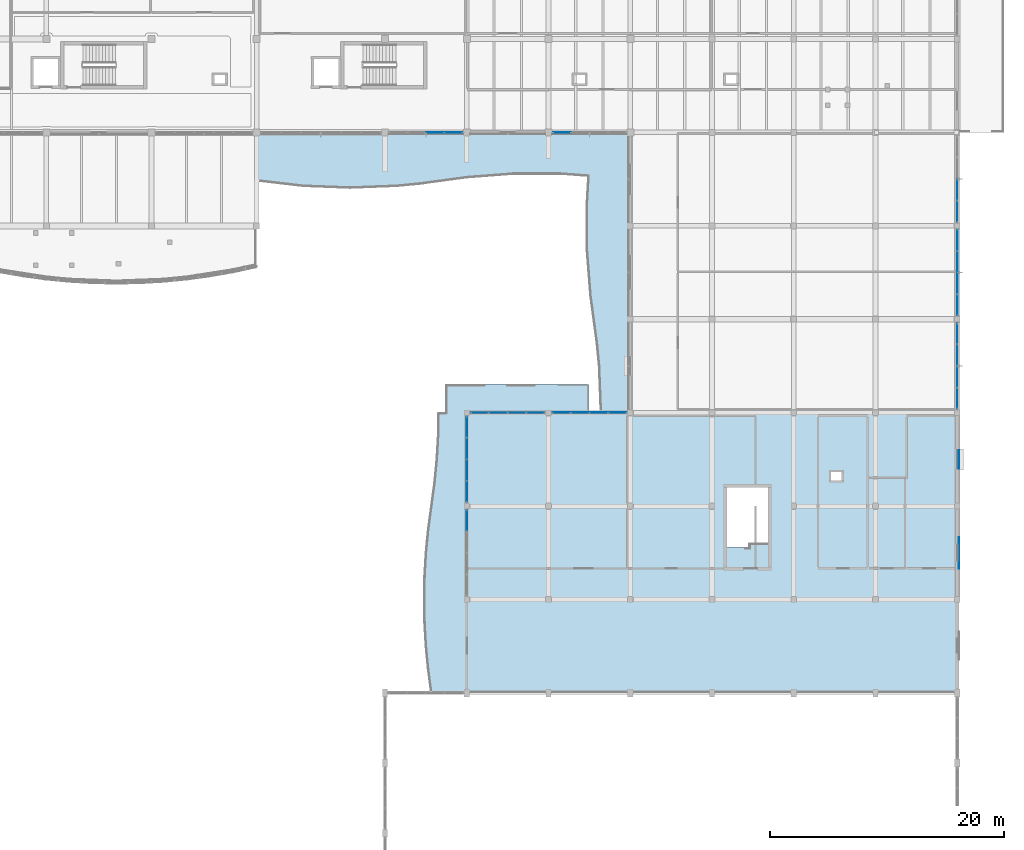
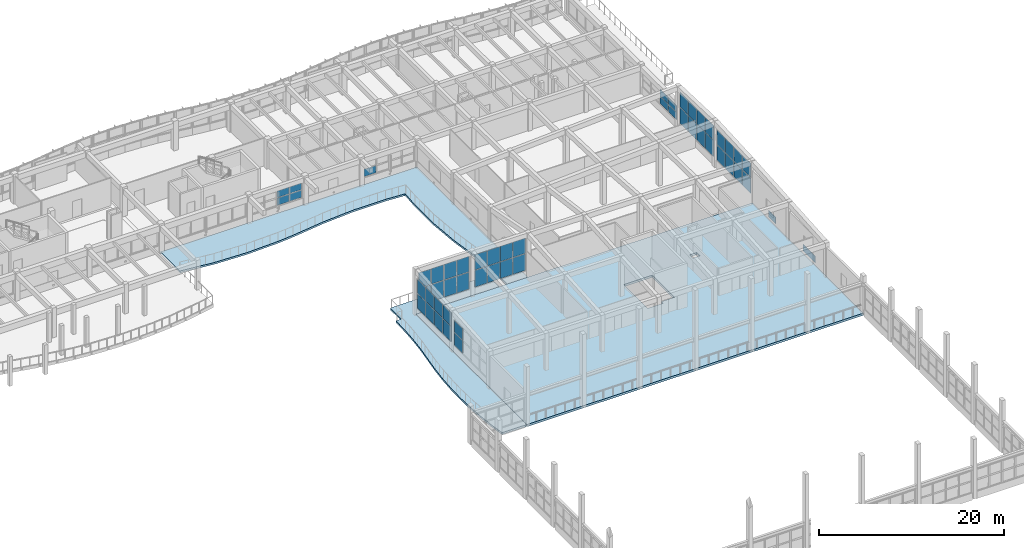
# One storey, part 53 of 89: 53 plates, 3 slabs, 9 elements without a shape of their own.
"""IFC4 building model written with IfcOpenShell, lengths in metres."""

from ifc_helpers import new_model, si_unit, direction, frame, origin, origin_2d, place, context, subcontext, project, spatial, polyline, rectangle, outline, extrude, material, layer, layer_set, type_object, element, aggregate, save


model = new_model("IFC4")

# Units and contexts
model_context = context("Model", 3, precision=1e-05, world=origin(), true_north=direction((0.0, 1.0)))
body_context = subcontext(model_context, "Body", "Model", "MODEL_VIEW")
ifc_project = project(units=[si_unit("LENGTHUNIT", "METRE"), si_unit("AREAUNIT", "SQUARE_METRE"), si_unit("VOLUMEUNIT", "CUBIC_METRE"), si_unit("PLANEANGLEUNIT", "RADIAN"), si_unit("MASSUNIT", "GRAM", prefix="KILO")], contexts=[model_context])

# Site, building, storey
site_placement = place(None, origin())
site = spatial("IfcSite", under=ifc_project, at=site_placement, CompositionType="ELEMENT")
building_placement = place(site_placement, origin())
building = spatial("IfcBuilding", under=site, at=building_placement, Name="Tonlespit Floodbar School", CompositionType="ELEMENT")
storey_placement = place(building_placement, frame((0.0, 0.0, 4.5)))
storey = spatial("IfcBuildingStorey", under=building, at=storey_placement, Name="L01", CompositionType="ELEMENT", Elevation=4.5)

# Curtain wall, plates
ifc_material_1 = material(Name="Anodised Aluminium", Category="aluminium")
ifc_layer_1 = layer(ifc_material_1, 0.159912109375)
ifc_layer_set_1 = layer_set([ifc_layer_1], Name="Anodised Aluminium")
curtain_wall_type_1 = type_object("IfcCurtainWallType", Name="CurtainWall_6400x4450", PredefinedType="NOTDEFINED", material=ifc_layer_set_1)
curtain_wall_1_placement = place(storey_placement, origin())
curtain_wall_1 = element("IfcCurtainWall", 1, at=curtain_wall_1_placement, inside=storey, type_object=curtain_wall_type_1, Name="L01 unitised curtain wall 0337", PredefinedType="NOTDEFINED")
ifc_material_2 = material(Name="Laminated Low-E Glass", Category="glass")
ifc_layer_2 = layer(ifc_material_2, 0.028076171875)
ifc_layer_set_2 = layer_set([ifc_layer_2], Name="Laminated Low-E Glass")
plate_type_1 = type_object("IfcPlateType", Name="CW_Panel_Glaz_28", PredefinedType="CURTAIN_PANEL", material=ifc_layer_set_2)
plate_1_placement = place(storey_placement, frame((135.108642578125, 80.0, 1.014892578125), z_axis=(0.0, 0.0, 1.0), x_axis=(1.0, 0.0, 0.0)))
plate_1 = element("IfcPlate", 2, at=plate_1_placement, type_object=plate_type_1, Name="CW-56 panel 1.1", PredefinedType="CURTAIN_PANEL", context=body_context, shape_type="SweptSolid", body=[
    extrude(rectangle(XDim=1.507568359375, YDim=0.028076171875, at=origin_2d()), origin(), (0.0, 0.0, 1.0), 2.22314453125),
])
plate_2_placement = place(storey_placement, frame((135.108642578125, 80.0, 3.30322265625), z_axis=(0.0, 0.0, 1.0), x_axis=(1.0, 0.0, 0.0)))
plate_2 = element("IfcPlate", 3, at=plate_2_placement, type_object=plate_type_1, Name="CW-56 panel 1.2", PredefinedType="CURTAIN_PANEL", context=body_context, shape_type="SweptSolid", body=[
    extrude(rectangle(XDim=1.507568359375, YDim=0.028076171875, at=origin_2d()), origin(), (0.0, 0.0, 1.0), 2.04443359375),
])
plate_3_placement = place(storey_placement, frame((136.697509765625, 80.0, 1.014892578125), z_axis=(0.0, 0.0, 1.0), x_axis=(1.0, 0.0, 0.0)))
plate_3 = element("IfcPlate", 4, at=plate_3_placement, type_object=plate_type_1, Name="CW-56 panel 2.1", PredefinedType="CURTAIN_PANEL", context=body_context, shape_type="SweptSolid", body=[
    extrude(rectangle(XDim=1.5400390625, YDim=0.028076171875, at=origin_2d()), origin(), (0.0, 0.0, 1.0), 2.22314453125),
])
plate_4_placement = place(storey_placement, frame((136.697509765625, 80.0, 3.30322265625), z_axis=(0.0, 0.0, 1.0), x_axis=(1.0, 0.0, 0.0)))
plate_4 = element("IfcPlate", 5, at=plate_4_placement, type_object=plate_type_1, Name="CW-56 panel 2.2", PredefinedType="CURTAIN_PANEL", context=body_context, shape_type="SweptSolid", body=[
    extrude(rectangle(XDim=1.5400390625, YDim=0.028076171875, at=origin_2d()), origin(), (0.0, 0.0, 1.0), 2.04443359375),
])
plate_5_placement = place(storey_placement, frame((138.302490234375, 80.0, 1.014892578125), z_axis=(0.0, 0.0, 1.0), x_axis=(1.0, 0.0, 0.0)))
plate_5 = element("IfcPlate", 6, at=plate_5_placement, type_object=plate_type_1, Name="CW-56 panel 3.1", PredefinedType="CURTAIN_PANEL", context=body_context, shape_type="SweptSolid", body=[
    extrude(rectangle(XDim=1.5400390625, YDim=0.028076171875, at=origin_2d()), origin(), (0.0, 0.0, 1.0), 2.22314453125),
])
plate_6_placement = place(storey_placement, frame((138.302490234375, 80.0, 3.30322265625), z_axis=(0.0, 0.0, 1.0), x_axis=(1.0, 0.0, 0.0)))
plate_6 = element("IfcPlate", 7, at=plate_6_placement, type_object=plate_type_1, Name="CW-56 panel 3.2", PredefinedType="CURTAIN_PANEL", context=body_context, shape_type="SweptSolid", body=[
    extrude(rectangle(XDim=1.5400390625, YDim=0.028076171875, at=origin_2d()), origin(), (0.0, 0.0, 1.0), 2.04443359375),
])
plate_7_placement = place(storey_placement, frame((139.891357421875, 80.0, 1.014892578125), z_axis=(0.0, 0.0, 1.0), x_axis=(1.0, 0.0, 0.0)))
plate_7 = element("IfcPlate", 8, at=plate_7_placement, type_object=plate_type_1, Name="CW-56 panel 4.1", PredefinedType="CURTAIN_PANEL", context=body_context, shape_type="SweptSolid", body=[
    extrude(rectangle(XDim=1.507568359375, YDim=0.028076171875, at=origin_2d()), origin(), (0.0, 0.0, 1.0), 2.22314453125),
])
plate_8_placement = place(storey_placement, frame((139.891357421875, 80.0, 3.30322265625), z_axis=(0.0, 0.0, 1.0), x_axis=(1.0, 0.0, 0.0)))
plate_8 = element("IfcPlate", 9, at=plate_8_placement, type_object=plate_type_1, Name="CW-56 panel 4.2", PredefinedType="CURTAIN_PANEL", context=body_context, shape_type="SweptSolid", body=[
    extrude(rectangle(XDim=1.507568359375, YDim=0.028076171875, at=origin_2d()), origin(), (0.0, 0.0, 1.0), 2.04443359375),
])
aggregate(curtain_wall_1, [plate_1, plate_2, plate_3, plate_4, plate_5, plate_6, plate_7, plate_8])

ifc_layer_3 = layer(ifc_material_1, 0.159912109375)
ifc_layer_set_3 = layer_set([ifc_layer_3], Name="Anodised Aluminium")
curtain_wall_type_2 = type_object("IfcCurtainWallType", Name="CurtainWall_6300x2050", PredefinedType="NOTDEFINED", material=ifc_layer_set_3)
curtain_wall_2_placement = place(storey_placement, origin())
curtain_wall_2 = element("IfcCurtainWall", 10, at=curtain_wall_2_placement, inside=storey, type_object=curtain_wall_type_2, Name="L01 unitised curtain wall 0409", PredefinedType="NOTDEFINED")
plate_9_placement = place(storey_placement, frame((132.853759765625, 104.0, 1.01513671875), z_axis=(0.0, 0.0, 1.0), x_axis=(-1.0, 0.0, 0.0)))
plate_9 = element("IfcPlate", 11, at=plate_9_placement, type_object=plate_type_1, Name="CW-61 panel 1.1", PredefinedType="CURTAIN_PANEL", context=body_context, shape_type="SweptSolid", body=[
    extrude(rectangle(XDim=1.482421875, YDim=0.028076171875, at=origin_2d()), origin(), (0.0, 0.0, 1.0), 0.9658203125),
])
plate_10_placement = place(storey_placement, frame((132.853759765625, 104.0, 2.0458984375), z_axis=(0.0, 0.0, 1.0), x_axis=(-1.0, 0.0, 0.0)))
plate_10 = element("IfcPlate", 12, at=plate_10_placement, type_object=plate_type_1, Name="CW-61 panel 1.2", PredefinedType="CURTAIN_PANEL", context=body_context, shape_type="SweptSolid", body=[
    extrude(rectangle(XDim=1.482421875, YDim=0.028076171875, at=origin_2d()), origin(), (0.0, 0.0, 1.0), 0.884033203125),
])
plate_11_placement = place(storey_placement, frame((131.2900390625, 104.0, 1.01513671875), z_axis=(0.0, 0.0, 1.0), x_axis=(-1.0, 0.0, 0.0)))
plate_11 = element("IfcPlate", 13, at=plate_11_placement, type_object=plate_type_1, Name="CW-61 panel 2.1", PredefinedType="CURTAIN_PANEL", context=body_context, shape_type="SweptSolid", body=[
    extrude(rectangle(XDim=1.514892578125, YDim=0.028076171875, at=origin_2d()), origin(), (0.0, 0.0, 1.0), 0.9658203125),
])
plate_12_placement = place(storey_placement, frame((131.2900390625, 104.0, 2.0458984375), z_axis=(0.0, 0.0, 1.0), x_axis=(-1.0, 0.0, 0.0)))
plate_12 = element("IfcPlate", 14, at=plate_12_placement, type_object=plate_type_1, Name="CW-61 panel 2.2", PredefinedType="CURTAIN_PANEL", context=body_context, shape_type="SweptSolid", body=[
    extrude(rectangle(XDim=1.514892578125, YDim=0.028076171875, at=origin_2d()), origin(), (0.0, 0.0, 1.0), 0.884033203125),
])
aggregate(curtain_wall_2, [plate_9, plate_10, plate_11, plate_12])

ifc_layer_4 = layer(ifc_material_1, 0.159912109375)
ifc_layer_set_4 = layer_set([ifc_layer_4], Name="Anodised Aluminium")
curtain_wall_type_3 = type_object("IfcCurtainWallType", Name="CurtainWall_7400x4100", PredefinedType="NOTDEFINED", material=ifc_layer_set_4)
curtain_wall_3_placement = place(storey_placement, origin())
curtain_wall_3 = element("IfcCurtainWall", 15, at=curtain_wall_3_placement, inside=storey, type_object=curtain_wall_type_3, Name="L01 unitised curtain wall 0413", PredefinedType="NOTDEFINED")
plate_13_placement = place(storey_placement, frame((176.0, 86.766357421875, 1.01513671875), z_axis=(0.0, 0.0, 1.0), x_axis=(0.0, -1.0, 0.0)))
plate_13 = element("IfcPlate", 16, at=plate_13_placement, type_object=plate_type_1, Name="CW-64 panel 1.1", PredefinedType="CURTAIN_PANEL", context=body_context, shape_type="SweptSolid", body=[
    extrude(rectangle(XDim=1.757568359375, YDim=0.028076171875, at=origin_2d()), origin(), (0.0, 0.0, 1.0), 2.033935546875),
])
plate_14_placement = place(storey_placement, frame((176.0, 86.766357421875, 3.114013671875), z_axis=(0.0, 0.0, 1.0), x_axis=(0.0, -1.0, 0.0)))
plate_14 = element("IfcPlate", 17, at=plate_14_placement, type_object=plate_type_1, Name="CW-64 panel 1.2", PredefinedType="CURTAIN_PANEL", context=body_context, shape_type="SweptSolid", body=[
    extrude(rectangle(XDim=1.757568359375, YDim=0.028076171875, at=origin_2d()), origin(), (0.0, 0.0, 1.0), 1.8701171875),
])
plate_15_placement = place(storey_placement, frame((176.0, 84.927490234375, 1.01513671875), z_axis=(0.0, 0.0, 1.0), x_axis=(0.0, -1.0, 0.0)))
plate_15 = element("IfcPlate", 18, at=plate_15_placement, type_object=plate_type_1, Name="CW-64 panel 2.1", PredefinedType="CURTAIN_PANEL", context=body_context, shape_type="SweptSolid", body=[
    extrude(rectangle(XDim=1.7900390625, YDim=0.028076171875, at=origin_2d()), origin(), (0.0, 0.0, 1.0), 2.033935546875),
])
plate_16_placement = place(storey_placement, frame((176.0, 84.927490234375, 3.114013671875), z_axis=(0.0, 0.0, 1.0), x_axis=(0.0, -1.0, 0.0)))
plate_16 = element("IfcPlate", 19, at=plate_16_placement, type_object=plate_type_1, Name="CW-64 panel 2.2", PredefinedType="CURTAIN_PANEL", context=body_context, shape_type="SweptSolid", body=[
    extrude(rectangle(XDim=1.7900390625, YDim=0.028076171875, at=origin_2d()), origin(), (0.0, 0.0, 1.0), 1.8701171875),
])
plate_17_placement = place(storey_placement, frame((176.0, 83.072509765625, 1.01513671875), z_axis=(0.0, 0.0, 1.0), x_axis=(0.0, -1.0, 0.0)))
plate_17 = element("IfcPlate", 20, at=plate_17_placement, type_object=plate_type_1, Name="CW-64 panel 3.1", PredefinedType="CURTAIN_PANEL", context=body_context, shape_type="SweptSolid", body=[
    extrude(rectangle(XDim=1.7900390625, YDim=0.028076171875, at=origin_2d()), origin(), (0.0, 0.0, 1.0), 2.033935546875),
])
plate_18_placement = place(storey_placement, frame((176.0, 83.072509765625, 3.114013671875), z_axis=(0.0, 0.0, 1.0), x_axis=(0.0, -1.0, 0.0)))
plate_18 = element("IfcPlate", 21, at=plate_18_placement, type_object=plate_type_1, Name="CW-64 panel 3.2", PredefinedType="CURTAIN_PANEL", context=body_context, shape_type="SweptSolid", body=[
    extrude(rectangle(XDim=1.7900390625, YDim=0.028076171875, at=origin_2d()), origin(), (0.0, 0.0, 1.0), 1.8701171875),
])
plate_19_placement = place(storey_placement, frame((176.0, 81.233642578125, 1.01513671875), z_axis=(0.0, 0.0, 1.0), x_axis=(0.0, -1.0, 0.0)))
plate_19 = element("IfcPlate", 22, at=plate_19_placement, type_object=plate_type_1, Name="CW-64 panel 4.1", PredefinedType="CURTAIN_PANEL", context=body_context, shape_type="SweptSolid", body=[
    extrude(rectangle(XDim=1.757568359375, YDim=0.028076171875, at=origin_2d()), origin(), (0.0, 0.0, 1.0), 2.033935546875),
])
plate_20_placement = place(storey_placement, frame((176.0, 81.233642578125, 3.114013671875), z_axis=(0.0, 0.0, 1.0), x_axis=(0.0, -1.0, 0.0)))
plate_20 = element("IfcPlate", 23, at=plate_20_placement, type_object=plate_type_1, Name="CW-64 panel 4.2", PredefinedType="CURTAIN_PANEL", context=body_context, shape_type="SweptSolid", body=[
    extrude(rectangle(XDim=1.757568359375, YDim=0.028076171875, at=origin_2d()), origin(), (0.0, 0.0, 1.0), 1.8701171875),
])
aggregate(curtain_wall_3, [plate_13, plate_14, plate_15, plate_16, plate_17, plate_18, plate_19, plate_20])

ifc_layer_5 = layer(ifc_material_1, 0.159912109375)
ifc_layer_set_5 = layer_set([ifc_layer_5], Name="Anodised Aluminium")
curtain_wall_type_4 = type_object("IfcCurtainWallType", Name="CurtainWall_6400x4400", PredefinedType="NOTDEFINED", material=ifc_layer_set_5)
curtain_wall_4_placement = place(storey_placement, origin())
curtain_wall_4 = element("IfcCurtainWall", 24, at=curtain_wall_4_placement, inside=storey, type_object=curtain_wall_type_4, Name="L01 unitised curtain wall 0338", PredefinedType="NOTDEFINED")
ifc_layer_6 = layer(ifc_material_2, 0.031982421875)
ifc_layer_set_6 = layer_set([ifc_layer_6], Name="Laminated Low-E Glass")
plate_type_2 = type_object("IfcPlateType", Name="CW_Panel_Glaz_32", PredefinedType="CURTAIN_PANEL", material=ifc_layer_set_6)
plate_21_placement = place(storey_placement, frame((142.108642578125, 80.0, 1.01513671875), z_axis=(0.0, 0.0, 1.0), x_axis=(1.0, 0.0, 0.0)))
plate_21 = element("IfcPlate", 25, at=plate_21_placement, type_object=plate_type_2, Name="CW-57 panel 1.1", PredefinedType="CURTAIN_PANEL", context=body_context, shape_type="SweptSolid", body=[
    extrude(rectangle(XDim=1.507568359375, YDim=0.031982421875, at=origin_2d()), origin(), (0.0, 0.0, 1.0), 2.188720703125),
])
plate_22_placement = place(storey_placement, frame((142.108642578125, 80.0, 3.2685546875), z_axis=(0.0, 0.0, 1.0), x_axis=(1.0, 0.0, 0.0)))
plate_22 = element("IfcPlate", 26, at=plate_22_placement, type_object=plate_type_2, Name="CW-57 panel 1.2", PredefinedType="CURTAIN_PANEL", context=body_context, shape_type="SweptSolid", body=[
    extrude(rectangle(XDim=1.507568359375, YDim=0.031982421875, at=origin_2d()), origin(), (0.0, 0.0, 1.0), 2.012939453125),
])
plate_23_placement = place(storey_placement, frame((143.697509765625, 80.0, 1.01513671875), z_axis=(0.0, 0.0, 1.0), x_axis=(1.0, 0.0, 0.0)))
plate_23 = element("IfcPlate", 27, at=plate_23_placement, type_object=plate_type_2, Name="CW-57 panel 2.1", PredefinedType="CURTAIN_PANEL", context=body_context, shape_type="SweptSolid", body=[
    extrude(rectangle(XDim=1.5400390625, YDim=0.031982421875, at=origin_2d()), origin(), (0.0, 0.0, 1.0), 2.188720703125),
])
plate_24_placement = place(storey_placement, frame((143.697509765625, 80.0, 3.2685546875), z_axis=(0.0, 0.0, 1.0), x_axis=(1.0, 0.0, 0.0)))
plate_24 = element("IfcPlate", 28, at=plate_24_placement, type_object=plate_type_2, Name="CW-57 panel 2.2", PredefinedType="CURTAIN_PANEL", context=body_context, shape_type="SweptSolid", body=[
    extrude(rectangle(XDim=1.5400390625, YDim=0.031982421875, at=origin_2d()), origin(), (0.0, 0.0, 1.0), 2.012939453125),
])
plate_25_placement = place(storey_placement, frame((145.302490234375, 80.0, 1.01513671875), z_axis=(0.0, 0.0, 1.0), x_axis=(1.0, 0.0, 0.0)))
plate_25 = element("IfcPlate", 29, at=plate_25_placement, type_object=plate_type_2, Name="CW-57 panel 3.1", PredefinedType="CURTAIN_PANEL", context=body_context, shape_type="SweptSolid", body=[
    extrude(rectangle(XDim=1.5400390625, YDim=0.031982421875, at=origin_2d()), origin(), (0.0, 0.0, 1.0), 2.188720703125),
])
plate_26_placement = place(storey_placement, frame((145.302490234375, 80.0, 3.2685546875), z_axis=(0.0, 0.0, 1.0), x_axis=(1.0, 0.0, 0.0)))
plate_26 = element("IfcPlate", 30, at=plate_26_placement, type_object=plate_type_2, Name="CW-57 panel 3.2", PredefinedType="CURTAIN_PANEL", context=body_context, shape_type="SweptSolid", body=[
    extrude(rectangle(XDim=1.5400390625, YDim=0.031982421875, at=origin_2d()), origin(), (0.0, 0.0, 1.0), 2.012939453125),
])
plate_27_placement = place(storey_placement, frame((146.891357421875, 80.0, 1.01513671875), z_axis=(0.0, 0.0, 1.0), x_axis=(1.0, 0.0, 0.0)))
plate_27 = element("IfcPlate", 31, at=plate_27_placement, type_object=plate_type_2, Name="CW-57 panel 4.1", PredefinedType="CURTAIN_PANEL", context=body_context, shape_type="SweptSolid", body=[
    extrude(rectangle(XDim=1.507568359375, YDim=0.031982421875, at=origin_2d()), origin(), (0.0, 0.0, 1.0), 2.188720703125),
])
plate_28_placement = place(storey_placement, frame((146.891357421875, 80.0, 3.2685546875), z_axis=(0.0, 0.0, 1.0), x_axis=(1.0, 0.0, 0.0)))
plate_28 = element("IfcPlate", 32, at=plate_28_placement, type_object=plate_type_2, Name="CW-57 panel 4.2", PredefinedType="CURTAIN_PANEL", context=body_context, shape_type="SweptSolid", body=[
    extrude(rectangle(XDim=1.507568359375, YDim=0.031982421875, at=origin_2d()), origin(), (0.0, 0.0, 1.0), 2.012939453125),
])
aggregate(curtain_wall_4, [plate_21, plate_22, plate_23, plate_24, plate_25, plate_26, plate_27, plate_28])

ifc_layer_7 = layer(ifc_material_1, 0.159912109375)
ifc_layer_set_7 = layer_set([ifc_layer_7], Name="Anodised Aluminium")
curtain_wall_type_5 = type_object("IfcCurtainWallType", Name="CurtainWall_7400x3350", PredefinedType="NOTDEFINED", material=ifc_layer_set_7)
curtain_wall_5_placement = place(storey_placement, origin())
curtain_wall_5 = element("IfcCurtainWall", 33, at=curtain_wall_5_placement, inside=storey, type_object=curtain_wall_type_5, Name="L01 unitised curtain wall 0335", PredefinedType="NOTDEFINED")
ifc_layer_8 = layer(ifc_material_2, 0.035888671875)
ifc_layer_set_8 = layer_set([ifc_layer_8], Name="Laminated Low-E Glass")
plate_type_3 = type_object("IfcPlateType", Name="CW_Panel_Glaz_36", PredefinedType="CURTAIN_PANEL", material=ifc_layer_set_8)
plate_29_placement = place(storey_placement, frame((134.0, 70.766357421875, 1.01513671875), z_axis=(0.0, 0.0, 1.0), x_axis=(0.0, 1.0, 0.0)))
plate_29 = element("IfcPlate", 34, at=plate_29_placement, type_object=plate_type_3, Name="CW-54 panel 4.1", PredefinedType="CURTAIN_PANEL", context=body_context, shape_type="SweptSolid", body=[
    extrude(rectangle(XDim=1.757568359375, YDim=0.035888671875, at=origin_2d()), origin(), (0.0, 0.0, 1.0), 1.65673828125),
])
plate_30_placement = place(storey_placement, frame((134.0, 70.766357421875, 2.73681640625), z_axis=(0.0, 0.0, 1.0), x_axis=(0.0, 1.0, 0.0)))
plate_30 = element("IfcPlate", 35, at=plate_30_placement, type_object=plate_type_3, Name="CW-54 panel 4.2", PredefinedType="CURTAIN_PANEL", context=body_context, shape_type="SweptSolid", body=[
    extrude(rectangle(XDim=1.757568359375, YDim=0.035888671875, at=origin_2d()), origin(), (0.0, 0.0, 1.0), 1.52197265625),
])
aggregate(curtain_wall_5, [plate_29, plate_30])

ifc_layer_9 = layer(ifc_material_1, 0.159912109375)
ifc_layer_set_9 = layer_set([ifc_layer_9], Name="Anodised Aluminium")
curtain_wall_type_6 = type_object("IfcCurtainWallType", Name="CurtainWall_7400x2000", PredefinedType="NOTDEFINED", material=ifc_layer_set_9)
curtain_wall_6_placement = place(storey_placement, origin())
curtain_wall_6 = element("IfcCurtainWall", 36, at=curtain_wall_6_placement, inside=storey, type_object=curtain_wall_type_6, Name="L01 unitised curtain wall 0411", PredefinedType="NOTDEFINED")
plate_31_placement = place(storey_placement, frame((176.0, 99.072509765625, 1.01513671875), z_axis=(0.0, 0.0, 1.0), x_axis=(0.0, -1.0, 0.0)))
plate_31 = element("IfcPlate", 37, at=plate_31_placement, type_object=plate_type_3, Name="CW-60 panel 3.1", PredefinedType="CURTAIN_PANEL", context=body_context, shape_type="SweptSolid", body=[
    extrude(rectangle(XDim=1.7900390625, YDim=0.035888671875, at=origin_2d()), origin(), (0.0, 0.0, 1.0), 0.9423828125),
])
plate_32_placement = place(storey_placement, frame((176.0, 99.072509765625, 2.0224609375), z_axis=(0.0, 0.0, 1.0), x_axis=(0.0, -1.0, 0.0)))
plate_32 = element("IfcPlate", 38, at=plate_32_placement, type_object=plate_type_3, Name="CW-60 panel 3.2", PredefinedType="CURTAIN_PANEL", context=body_context, shape_type="SweptSolid", body=[
    extrude(rectangle(XDim=1.7900390625, YDim=0.035888671875, at=origin_2d()), origin(), (0.0, 0.0, 1.0), 0.862548828125),
])
plate_33_placement = place(storey_placement, frame((176.0, 97.233642578125, 1.01513671875), z_axis=(0.0, 0.0, 1.0), x_axis=(0.0, -1.0, 0.0)))
plate_33 = element("IfcPlate", 39, at=plate_33_placement, type_object=plate_type_3, Name="CW-60 panel 4.1", PredefinedType="CURTAIN_PANEL", context=body_context, shape_type="SweptSolid", body=[
    extrude(rectangle(XDim=1.757568359375, YDim=0.035888671875, at=origin_2d()), origin(), (0.0, 0.0, 1.0), 0.9423828125),
])
plate_34_placement = place(storey_placement, frame((176.0, 97.233642578125, 2.0224609375), z_axis=(0.0, 0.0, 1.0), x_axis=(0.0, -1.0, 0.0)))
plate_34 = element("IfcPlate", 40, at=plate_34_placement, type_object=plate_type_3, Name="CW-60 panel 4.2", PredefinedType="CURTAIN_PANEL", context=body_context, shape_type="SweptSolid", body=[
    extrude(rectangle(XDim=1.757568359375, YDim=0.035888671875, at=origin_2d()), origin(), (0.0, 0.0, 1.0), 0.862548828125),
])
aggregate(curtain_wall_6, [plate_31, plate_32, plate_33, plate_34])

ifc_layer_10 = layer(ifc_material_1, 0.159912109375)
ifc_layer_set_10 = layer_set([ifc_layer_10], Name="Anodised Aluminium")
curtain_wall_type_7 = type_object("IfcCurtainWallType", Name="CurtainWall_7400x3950", PredefinedType="NOTDEFINED", material=ifc_layer_set_10)
curtain_wall_7_placement = place(storey_placement, origin())
curtain_wall_7 = element("IfcCurtainWall", 41, at=curtain_wall_7_placement, inside=storey, type_object=curtain_wall_type_7, Name="L01 unitised curtain wall 0336", PredefinedType="NOTDEFINED")
ifc_layer_11 = layer(ifc_material_2, 0.0419921875)
ifc_layer_set_11 = layer_set([ifc_layer_11], Name="Laminated Low-E Glass")
plate_type_4 = type_object("IfcPlateType", Name="CW_Panel_Glaz_42", PredefinedType="CURTAIN_PANEL", material=ifc_layer_set_11)
plate_35_placement = place(storey_placement, frame((134.0, 73.233642578125, 1.01513671875), z_axis=(0.0, 0.0, 1.0), x_axis=(0.0, 1.0, 0.0)))
plate_35 = element("IfcPlate", 42, at=plate_35_placement, type_object=plate_type_4, Name="CW-55 panel 1.1", PredefinedType="CURTAIN_PANEL", context=body_context, shape_type="SweptSolid", body=[
    extrude(rectangle(XDim=1.757568359375, YDim=0.0419921875, at=origin_2d()), origin(), (0.0, 0.0, 1.0), 1.961181640625),
])
plate_36_placement = place(storey_placement, frame((134.0, 73.233642578125, 3.041259765625), z_axis=(0.0, 0.0, 1.0), x_axis=(0.0, 1.0, 0.0)))
plate_36 = element("IfcPlate", 43, at=plate_36_placement, type_object=plate_type_4, Name="CW-55 panel 1.2", PredefinedType="CURTAIN_PANEL", context=body_context, shape_type="SweptSolid", body=[
    extrude(rectangle(XDim=1.757568359375, YDim=0.0419921875, at=origin_2d()), origin(), (0.0, 0.0, 1.0), 1.802734375),
])
plate_37_placement = place(storey_placement, frame((134.0, 75.072509765625, 1.01513671875), z_axis=(0.0, 0.0, 1.0), x_axis=(0.0, 1.0, 0.0)))
plate_37 = element("IfcPlate", 44, at=plate_37_placement, type_object=plate_type_4, Name="CW-55 panel 2.1", PredefinedType="CURTAIN_PANEL", context=body_context, shape_type="SweptSolid", body=[
    extrude(rectangle(XDim=1.7900390625, YDim=0.0419921875, at=origin_2d()), origin(), (0.0, 0.0, 1.0), 1.961181640625),
])
plate_38_placement = place(storey_placement, frame((134.0, 75.072509765625, 3.041259765625), z_axis=(0.0, 0.0, 1.0), x_axis=(0.0, 1.0, 0.0)))
plate_38 = element("IfcPlate", 45, at=plate_38_placement, type_object=plate_type_4, Name="CW-55 panel 2.2", PredefinedType="CURTAIN_PANEL", context=body_context, shape_type="SweptSolid", body=[
    extrude(rectangle(XDim=1.7900390625, YDim=0.0419921875, at=origin_2d()), origin(), (0.0, 0.0, 1.0), 1.802734375),
])
plate_39_placement = place(storey_placement, frame((134.0, 76.927490234375, 1.01513671875), z_axis=(0.0, 0.0, 1.0), x_axis=(0.0, 1.0, 0.0)))
plate_39 = element("IfcPlate", 46, at=plate_39_placement, type_object=plate_type_4, Name="CW-55 panel 3.1", PredefinedType="CURTAIN_PANEL", context=body_context, shape_type="SweptSolid", body=[
    extrude(rectangle(XDim=1.7900390625, YDim=0.0419921875, at=origin_2d()), origin(), (0.0, 0.0, 1.0), 1.961181640625),
])
plate_40_placement = place(storey_placement, frame((134.0, 76.927490234375, 3.041259765625), z_axis=(0.0, 0.0, 1.0), x_axis=(0.0, 1.0, 0.0)))
plate_40 = element("IfcPlate", 47, at=plate_40_placement, type_object=plate_type_4, Name="CW-55 panel 3.2", PredefinedType="CURTAIN_PANEL", context=body_context, shape_type="SweptSolid", body=[
    extrude(rectangle(XDim=1.7900390625, YDim=0.0419921875, at=origin_2d()), origin(), (0.0, 0.0, 1.0), 1.802734375),
])
plate_41_placement = place(storey_placement, frame((134.0, 78.766357421875, 1.01513671875), z_axis=(0.0, 0.0, 1.0), x_axis=(0.0, 1.0, 0.0)))
plate_41 = element("IfcPlate", 48, at=plate_41_placement, type_object=plate_type_4, Name="CW-55 panel 4.1", PredefinedType="CURTAIN_PANEL", context=body_context, shape_type="SweptSolid", body=[
    extrude(rectangle(XDim=1.757568359375, YDim=0.0419921875, at=origin_2d()), origin(), (0.0, 0.0, 1.0), 1.961181640625),
])
plate_42_placement = place(storey_placement, frame((134.0, 78.766357421875, 3.041259765625), z_axis=(0.0, 0.0, 1.0), x_axis=(0.0, 1.0, 0.0)))
plate_42 = element("IfcPlate", 49, at=plate_42_placement, type_object=plate_type_4, Name="CW-55 panel 4.2", PredefinedType="CURTAIN_PANEL", context=body_context, shape_type="SweptSolid", body=[
    extrude(rectangle(XDim=1.757568359375, YDim=0.0419921875, at=origin_2d()), origin(), (0.0, 0.0, 1.0), 1.802734375),
])
aggregate(curtain_wall_7, [plate_35, plate_36, plate_37, plate_38, plate_39, plate_40, plate_41, plate_42])

# Curtain wall, plate
curtain_wall_8_placement = place(storey_placement, origin())
curtain_wall_8 = element("IfcCurtainWall", 50, at=curtain_wall_8_placement, inside=storey, type_object=curtain_wall_type_2, Name="L01 unitised curtain wall 0408", PredefinedType="NOTDEFINED")
plate_43_placement = place(storey_placement, frame((142.146240234375, 104.0, 1.01513671875), z_axis=(0.0, 0.0, 1.0), x_axis=(-1.0, 0.0, 0.0)))
plate_43 = element("IfcPlate", 51, at=plate_43_placement, type_object=plate_type_4, Name="CW-61 panel 4.1", PredefinedType="CURTAIN_PANEL", context=body_context, shape_type="SweptSolid", body=[
    extrude(rectangle(XDim=1.482421875, YDim=0.0419921875, at=origin_2d()), origin(), (0.0, 0.0, 1.0), 0.9658203125),
])
aggregate(curtain_wall_8, [plate_43])

# Curtain wall, plates
ifc_layer_12 = layer(ifc_material_1, 0.159912109375)
ifc_layer_set_12 = layer_set([ifc_layer_12], Name="Anodised Aluminium")
curtain_wall_type_8 = type_object("IfcCurtainWallType", Name="CurtainWall_7400x4250", PredefinedType="NOTDEFINED", material=ifc_layer_set_12)
curtain_wall_9_placement = place(storey_placement, origin())
curtain_wall_9 = element("IfcCurtainWall", 52, at=curtain_wall_9_placement, inside=storey, type_object=curtain_wall_type_8, Name="L01 unitised curtain wall 0412", PredefinedType="NOTDEFINED")
plate_44_placement = place(storey_placement, frame((176.0, 94.766357421875, 1.01513671875), z_axis=(0.0, 0.0, 1.0), x_axis=(0.0, -1.0, 0.0)))
plate_44 = element("IfcPlate", 53, at=plate_44_placement, type_object=plate_type_4, Name="CW-63 panel 1.1", PredefinedType="CURTAIN_PANEL", context=body_context, shape_type="SweptSolid", body=[
    extrude(rectangle(XDim=1.757568359375, YDim=0.0419921875, at=origin_2d()), origin(), (0.0, 0.0, 1.0), 2.1005859375),
])
plate_45_placement = place(storey_placement, frame((176.0, 94.766357421875, 3.1806640625), z_axis=(0.0, 0.0, 1.0), x_axis=(0.0, -1.0, 0.0)))
plate_45 = element("IfcPlate", 54, at=plate_45_placement, type_object=plate_type_4, Name="CW-63 panel 1.2", PredefinedType="CURTAIN_PANEL", context=body_context, shape_type="SweptSolid", body=[
    extrude(rectangle(XDim=1.757568359375, YDim=0.0419921875, at=origin_2d()), origin(), (0.0, 0.0, 1.0), 1.931640625),
])
plate_46_placement = place(storey_placement, frame((176.0, 92.927490234375, 1.01513671875), z_axis=(0.0, 0.0, 1.0), x_axis=(0.0, -1.0, 0.0)))
plate_46 = element("IfcPlate", 55, at=plate_46_placement, type_object=plate_type_4, Name="CW-63 panel 2.1", PredefinedType="CURTAIN_PANEL", context=body_context, shape_type="SweptSolid", body=[
    extrude(rectangle(XDim=1.7900390625, YDim=0.0419921875, at=origin_2d()), origin(), (0.0, 0.0, 1.0), 2.1005859375),
])
plate_47_placement = place(storey_placement, frame((176.0, 92.927490234375, 3.1806640625), z_axis=(0.0, 0.0, 1.0), x_axis=(0.0, -1.0, 0.0)))
plate_47 = element("IfcPlate", 56, at=plate_47_placement, type_object=plate_type_4, Name="CW-63 panel 2.2", PredefinedType="CURTAIN_PANEL", context=body_context, shape_type="SweptSolid", body=[
    extrude(rectangle(XDim=1.7900390625, YDim=0.0419921875, at=origin_2d()), origin(), (0.0, 0.0, 1.0), 1.931640625),
])
plate_48_placement = place(storey_placement, frame((176.0, 91.072509765625, 1.01513671875), z_axis=(0.0, 0.0, 1.0), x_axis=(0.0, -1.0, 0.0)))
plate_48 = element("IfcPlate", 57, at=plate_48_placement, type_object=plate_type_4, Name="CW-63 panel 3.1", PredefinedType="CURTAIN_PANEL", context=body_context, shape_type="SweptSolid", body=[
    extrude(rectangle(XDim=1.7900390625, YDim=0.0419921875, at=origin_2d()), origin(), (0.0, 0.0, 1.0), 2.1005859375),
])
plate_49_placement = place(storey_placement, frame((176.0, 91.072509765625, 3.1806640625), z_axis=(0.0, 0.0, 1.0), x_axis=(0.0, -1.0, 0.0)))
plate_49 = element("IfcPlate", 58, at=plate_49_placement, type_object=plate_type_4, Name="CW-63 panel 3.2", PredefinedType="CURTAIN_PANEL", context=body_context, shape_type="SweptSolid", body=[
    extrude(rectangle(XDim=1.7900390625, YDim=0.0419921875, at=origin_2d()), origin(), (0.0, 0.0, 1.0), 1.931640625),
])
plate_50_placement = place(storey_placement, frame((176.0, 89.233642578125, 1.01513671875), z_axis=(0.0, 0.0, 1.0), x_axis=(0.0, -1.0, 0.0)))
plate_50 = element("IfcPlate", 59, at=plate_50_placement, type_object=plate_type_4, Name="CW-63 panel 4.1", PredefinedType="CURTAIN_PANEL", context=body_context, shape_type="SweptSolid", body=[
    extrude(rectangle(XDim=1.757568359375, YDim=0.0419921875, at=origin_2d()), origin(), (0.0, 0.0, 1.0), 2.1005859375),
])
plate_51_placement = place(storey_placement, frame((176.0, 89.233642578125, 3.1806640625), z_axis=(0.0, 0.0, 1.0), x_axis=(0.0, -1.0, 0.0)))
plate_51 = element("IfcPlate", 60, at=plate_51_placement, type_object=plate_type_4, Name="CW-63 panel 4.2", PredefinedType="CURTAIN_PANEL", context=body_context, shape_type="SweptSolid", body=[
    extrude(rectangle(XDim=1.757568359375, YDim=0.0419921875, at=origin_2d()), origin(), (0.0, 0.0, 1.0), 1.931640625),
])
aggregate(curtain_wall_9, [plate_44, plate_45, plate_46, plate_47, plate_48, plate_49, plate_50, plate_51])

# Plates
ifc_material_3 = material(Name="Terracotta Anodised Aluminium", Category="masonry")
ifc_layer_13 = layer(ifc_material_3, 0.050048828125)
ifc_layer_set_13 = layer_set([ifc_layer_13], Name="Terracotta Anodised Aluminium")
plate_type_5 = type_object("IfcPlateType", Name="FacadeCassette_04", PredefinedType="SHEET", material=ifc_layer_set_13)
plate_52_placement = place(storey_placement, frame((176.160400390625, 68.0, 0.094970703125), z_axis=(0.0, 0.0, 1.0), x_axis=(0.0, -1.0, 0.0)))
element("IfcPlate", 61, at=plate_52_placement, inside=storey, type_object=plate_type_5, Name="L01 folded rainscreen cassette 028", PredefinedType="SHEET", context=body_context, shape_type="SweptSolid", body=[
    extrude(rectangle(XDim=2.699951171875, YDim=0.050048828125, at=origin_2d()), origin(), (0.0, 0.0, 1.0), 0.85009765625),
])
ifc_layer_14 = layer(ifc_material_1, 0.0400390625)
ifc_layer_set_14 = layer_set([ifc_layer_14], Name="Anodised Aluminium")
plate_type_6 = type_object("IfcPlateType", Name="FacadeCassette_05", PredefinedType="SHEET", material=ifc_layer_set_14)
plate_53_placement = place(storey_placement, frame((176.155517578125, 76.0, 0.094970703125), z_axis=(0.0, 0.0, 1.0), x_axis=(0.0, -1.0, 0.0)))
element("IfcPlate", 62, at=plate_53_placement, inside=storey, type_object=plate_type_6, Name="L01 folded rainscreen cassette 029", PredefinedType="SHEET", context=body_context, shape_type="SweptSolid", body=[
    extrude(rectangle(XDim=1.60009765625, YDim=0.0400390625, at=origin_2d()), origin(), (0.0, 0.0, 1.0), 0.85009765625),
])

# Slabs
ifc_material_4 = material(Name="Concrete C40/50", Category="concrete")
ifc_layer_15 = layer(ifc_material_4, 0.284912109375)
ifc_layer_set_15 = layer_set([ifc_layer_15], Name="Concrete C40/50")
slab_type_1 = type_object("IfcSlabType", Name="Slab_HallFoyer_RC_280", PredefinedType="FLOOR", material=ifc_layer_set_15)
slab_1_placement = place(storey_placement, frame((0.0, 0.0, -0.284912109375)))
element("IfcSlab", 63, at=slab_1_placement, inside=storey, type_object=slab_type_1, Name="L01 Hall L01 gallery and drama slab", PredefinedType="FLOOR", context=body_context, shape_type="SweptSolid", body=[
    extrude(outline(polyline([(134.0, 56.0), (176.0, 56.0), (176.0, 80.0), (134.0, 80.0), (134.0, 56.0)]), holes=[polyline([(159.800048828125, 68.800048828125), (159.800048828125, 73.60009765625), (156.260009765625, 73.60009765625), (156.260009765625, 68.445068359375), (158.179931640625, 68.445068359375), (158.179931640625, 68.800048828125), (159.800048828125, 68.800048828125)]), polyline([(165.199951171875, 74.199951171875), (166.10009765625, 74.199951171875), (166.10009765625, 74.89990234375), (165.199951171875, 74.89990234375), (165.199951171875, 74.199951171875)])]), origin(), (0.0, 0.0, 1.0), 0.284912109375),
])
ifc_material_5 = material(Name="CLT C24", Category="wood")
ifc_layer_16 = layer(ifc_material_5, 0.243896484375)
ifc_layer_set_16 = layer_set([ifc_layer_16], Name="CLT C24")
slab_type_2 = type_object("IfcSlabType", Name="Slab_Terrace_CLT_244", PredefinedType="FLOOR", material=ifc_layer_set_16)
slab_2_placement = place(storey_placement, frame((0.0, 0.0, -0.243896484375)))
element("IfcSlab", 64, at=slab_2_placement, inside=storey, type_object=slab_type_2, Name="L01 V3 L01 curved courtyard foyer gallery", PredefinedType="FLOOR", context=body_context, shape_type="SweptSolid", body=[
    extrude(outline(polyline([(130.89990234375, 56.0), (130.628173828125, 58.0), (130.628173828125, 58.0), (130.43505859375, 60.0), (130.43505859375, 60.0), (130.3193359375, 62.0), (130.3193359375, 62.0), (130.281005859375, 64.0), (130.281005859375, 64.0), (130.3193359375, 66.0), (130.3193359375, 66.0), (130.43505859375, 68.0), (130.43505859375, 68.0), (130.628173828125, 70.0), (130.628173828125, 70.0), (130.89990234375, 72.0), (131.171875, 74.0), (131.171875, 74.0), (131.364990234375, 76.0), (131.364990234375, 76.0), (131.480712890625, 78.0), (131.480712890625, 78.0), (131.51904296875, 80.0), (131.51904296875, 80.0), (131.519287109375, 80.0), (132.195068359375, 80.0), (132.195556640625, 80.0), (132.196044921875, 80.0), (132.196533203125, 80.000244140625), (132.197021484375, 80.00048828125), (132.197509765625, 80.00048828125), (132.19775390625, 80.000732421875), (132.1982421875, 80.001220703125), (132.198486328125, 80.00146484375), (132.198974609375, 80.001708984375), (132.19921875, 80.002197265625), (132.199462890625, 80.002685546875), (132.19970703125, 80.003173828125), (132.19970703125, 80.00341796875), (132.199951171875, 80.00390625), (132.199951171875, 80.00439453125), (132.199951171875, 80.0048828125), (132.199951171875, 82.39990234375), (132.199951171875, 82.39990234375), (132.2001953125, 82.39990234375), (144.39990234375, 82.39990234375), (144.39990234375, 82.39990234375), (144.39990234375, 82.39990234375), (144.39990234375, 80.0), (144.39990234375, 80.0), (144.39990234375, 80.0), (134.0048828125, 80.0), (134.0, 80.0), (134.0, 79.9951171875), (134.0, 56.0), (134.0, 56.0), (134.0, 56.0), (130.900146484375, 56.0), (130.89990234375, 56.0), (130.89990234375, 56.0)])), origin(), (0.0, 0.0, 1.0), 0.243896484375),
])
slab_3_placement = place(storey_placement, frame((0.0, 0.0, -0.243896484375)))
element("IfcSlab", 65, at=slab_3_placement, inside=storey, type_object=slab_type_2, Name="L01 V4 L01 curved courtyard gallery", PredefinedType="FLOOR", context=body_context, shape_type="SweptSolid", body=[
    extrude(outline(polyline([(116.0, 99.800048828125), (116.0, 104.0), (148.0, 104.0), (148.0, 80.0), (145.419189453125, 80.0), (145.264892578125, 84.000244140625), (145.07177734375, 86.000244140625), (144.5283203125, 90.0), (144.219482421875, 94.0), (144.219482421875, 98.0), (144.351806640625, 100.229736328125), (141.999755859375, 100.380615234375), (137.999755859375, 100.380615234375), (134.000244140625, 100.07177734375), (130.0, 99.5283203125), (128.0, 99.3349609375), (124.0, 99.180908203125), (120.0, 99.3349609375), (116.0, 99.800048828125)])), origin(), (0.0, 0.0, 1.0), 0.243896484375),
])

save(model, "model.ifc")
